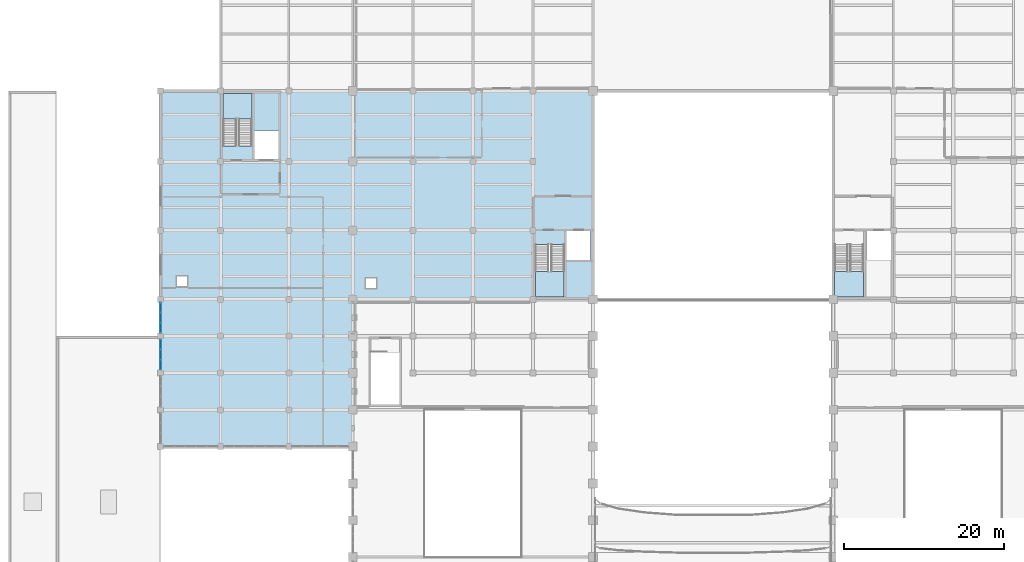
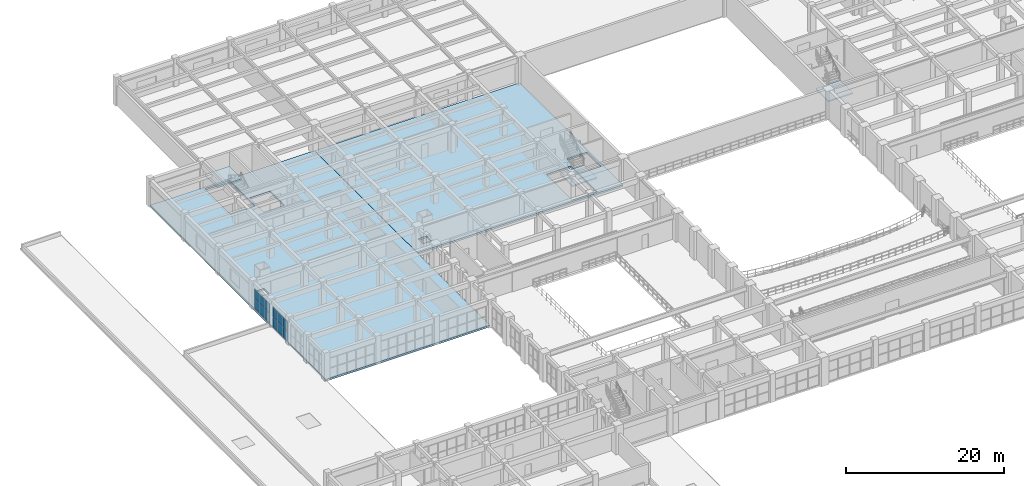
# One storey, part 58 of 90: 12 plates, 5 slabs, 5 elements without a shape of their own.
"""IFC4 building model written with IfcOpenShell, lengths in metres."""

import ifcopenshell
import ifcopenshell.guid

model = None  # the IFC model being written
_history = None  # IfcOwnerHistory: only IFC2X3 demands one
_inside = {}  # id of a spatial element -> (the spatial element, [elements in it])
_under = {}  # id of a project, library or spatial element -> (it, [spatial elements below it])
_declared = {}  # id of a project -> (the project, [libraries it declares])
_typed = {}  # id of a type object -> (the type object, [elements of that type])
_made_of = {}  # id of a material, layer set ... -> (it, [elements and type objects made of it])


def new_model(schema):
    """Start an empty IFC model of exactly this schema.

    Asked for "IFC4X3", IfcOpenShell would pick the latest addendum, in which some entities
    have other attributes; the version numbers below select the first issue.
    IFC2X3 requires an IfcOwnerHistory on every rooted entity: one is made here for all.
    """
    global model, _history
    if schema == "IFC4X3":
        model = ifcopenshell.file(schema_version=(4, 3, 0, 0))
    else:
        model = ifcopenshell.file(schema=schema)
    _inside.clear()
    _under.clear()
    _declared.clear()
    _typed.clear()
    _made_of.clear()
    _history = None
    if model.schema == "IFC2X3":
        org = make("IfcOrganization", Name="unknown")
        user = make(
            "IfcPersonAndOrganization",
            ThePerson=make("IfcPerson", FamilyName="unknown"),
            TheOrganization=org,
        )
        app = make(
            "IfcApplication",
            ApplicationDeveloper=org,
            Version="unknown",
            ApplicationFullName="unknown",
            ApplicationIdentifier="unknown",
        )
        _history = make(
            "IfcOwnerHistory",
            OwningUser=user,
            OwningApplication=app,
            ChangeAction="ADDED",
            CreationDate=0,
        )
    return model


def make(cls, **values):
    """One entity of the class cls with the attributes given. An attribute that is None is left unset."""
    return model.create_entity(
        cls, **{name: value for name, value in values.items() if value is not None}
    )


def rooted(cls, **values):
    """An entity with a GlobalId (a new one), such as an element, a storey or a relation."""
    return make(cls, GlobalId=ifcopenshell.guid.new(), OwnerHistory=_history, **values)


def si_unit(unit_type, name, prefix=None):
    """IfcSIUnit, for example si_unit("LENGTHUNIT", "METRE", prefix="MILLI")."""
    return make("IfcSIUnit", UnitType=unit_type, Prefix=prefix, Name=name)


def assignment(units):
    """IfcUnitAssignment: the units of a project."""
    return None if units is None else make("IfcUnitAssignment", Units=units)


def point(xyz):
    """IfcCartesianPoint."""
    return None if xyz is None else make("IfcCartesianPoint", Coordinates=xyz)


def direction(xyz):
    """IfcDirection."""
    return None if xyz is None else make("IfcDirection", DirectionRatios=xyz)


def frame(location, z_axis=None, x_axis=None):
    """IfcAxis2Placement3D, a coordinate frame: its origin and axes. An axis left out is left unset."""
    return make(
        "IfcAxis2Placement3D",
        Location=point(location),
        Axis=direction(z_axis),
        RefDirection=direction(x_axis),
    )


def frame_2d(location, x_axis=None):
    """IfcAxis2Placement2D, a coordinate frame in the plane: its origin and x axis."""
    return make(
        "IfcAxis2Placement2D", Location=point(location), RefDirection=direction(x_axis)
    )


def origin():
    """The frame at (0, 0, 0) with its axes left unset."""
    return frame((0.0, 0.0, 0.0))


def origin_2d():
    """The frame at (0, 0) in the plane with its x axis left unset."""
    return frame_2d((0.0, 0.0))


def place(relative_to, where):
    """IfcLocalPlacement: puts the frame where relative to a parent placement (None: the world)."""
    return make(
        "IfcLocalPlacement", PlacementRelTo=relative_to, RelativePlacement=where
    )


def context(
    kind, dimensions, precision=None, world=None, true_north=None, identifier=None
):
    """IfcGeometricRepresentationContext, for example the 3D "Model" context."""
    return make(
        "IfcGeometricRepresentationContext",
        ContextIdentifier=identifier,
        ContextType=kind,
        CoordinateSpaceDimension=dimensions,
        Precision=precision,
        WorldCoordinateSystem=world,
        TrueNorth=true_north,
    )


def subcontext(parent, identifier, kind, view, scale=None):
    """IfcGeometricRepresentationSubContext, for example "Body" below "Model"."""
    return make(
        "IfcGeometricRepresentationSubContext",
        ContextIdentifier=identifier,
        ContextType=kind,
        ParentContext=parent,
        TargetScale=scale,
        TargetView=view,
    )


def project(units=None, contexts=None):
    """IfcProject with its units and contexts."""
    return rooted(
        "IfcProject",
        Name="project",
        RepresentationContexts=contexts,
        UnitsInContext=assignment(units),
    )


def spatial(cls, under=None, at=None, **own):
    """A site, building, storey or space (cls), placed at a placement, below another one or the project."""
    s = rooted(cls, ObjectPlacement=at, **own)
    if under is not None:
        _under.setdefault(under.id(), (under, []))[1].append(s)
    return s


def polyline(points):
    """IfcPolyline through the points."""
    return make("IfcPolyline", Points=[point(p) for p in points])


def profile(cls, at=None, kind="AREA", **sizes):
    """A parametric profile (cls). Its sizes go by their IFC names, for example OverallWidth=200.0."""
    return make(cls, ProfileType=kind, Position=at, **sizes)


def rectangle(**sizes):
    """IfcRectangleProfileDef."""
    return profile("IfcRectangleProfileDef", **sizes)


def outline(outer, holes=None, kind="AREA"):
    """IfcArbitraryClosedProfileDef: a profile drawn as a closed curve; with holes, ...WithVoids."""
    if holes is None:
        return make("IfcArbitraryClosedProfileDef", ProfileType=kind, OuterCurve=outer)
    return make(
        "IfcArbitraryProfileDefWithVoids",
        ProfileType=kind,
        OuterCurve=outer,
        InnerCurves=holes,
    )


def extrude(swept, where, along, depth):
    """IfcExtrudedAreaSolid: the profile swept, set in the frame where, extruded along a direction by depth."""
    return make(
        "IfcExtrudedAreaSolid",
        SweptArea=swept,
        Position=where,
        ExtrudedDirection=direction(along),
        Depth=depth,
    )


def shape(context_of_items, identifier, shape_type, items):
    """IfcShapeRepresentation: the items that make up one representation, for example the "Body"."""
    return make(
        "IfcShapeRepresentation",
        ContextOfItems=context_of_items,
        RepresentationIdentifier=identifier,
        RepresentationType=shape_type,
        Items=items,
    )


def material(Name=None, Category=None):
    """IfcMaterial."""
    return make("IfcMaterial", Name=Name, Category=Category)


def layer(
    of_material, thickness, ventilated=None, Name=None, Category=None, Priority=None
):
    """IfcMaterialLayer: one layer of a wall or slab, of a material (None: an air gap)."""
    return make(
        "IfcMaterialLayer",
        Material=of_material,
        LayerThickness=thickness,
        IsVentilated=ventilated,
        Name=Name,
        Category=Category,
        Priority=Priority,
    )


def layer_set(layers, Name=None):
    """IfcMaterialLayerSet."""
    return make("IfcMaterialLayerSet", MaterialLayers=layers, LayerSetName=Name)


def made_of(thing, what):
    """Note that an element or type object is made of a material, layer set ...; save() writes the relation."""
    if what is not None:
        _made_of.setdefault(what.id(), (what, []))[1].append(thing)
    return thing


def type_object(cls, material=None, **own):
    """A type object (cls), such as IfcWallType, which elements share."""
    return made_of(rooted(cls, **own), material)


def element(
    cls,
    number,
    at=None,
    inside=None,
    cuts=None,
    type_object=None,
    material=None,
    context=None,
    identifier="Body",
    shape_type=None,
    held_by="IfcProductDefinitionShape",
    body=None,
    shapes=None,
    **own,
):
    """One element of the class cls, such as IfcWall. Its Tag is "e" and its number.

    at: its placement. inside: the storey or other place that contains it. cuts: it is an
    opening in that element (IfcRelVoidsElement). A single representation is given by context,
    identifier, shape_type and body (its items); several are given by shapes. held_by: the class
    of the entity that holds the representations. save() writes the other relations.
    """
    e = rooted(cls, Tag="e%d" % number, ObjectPlacement=at, **own)
    if body is not None:
        shapes = [shape(context, identifier, shape_type, body)]
    if shapes is not None:
        e.Representation = make(held_by, Representations=shapes)
    if inside is not None:
        _inside.setdefault(inside.id(), (inside, []))[1].append(e)
    if cuts is not None:
        rooted(
            "IfcRelVoidsElement", RelatingBuildingElement=cuts, RelatedOpeningElement=e
        )
    if type_object is not None:
        _typed.setdefault(type_object.id(), (type_object, []))[1].append(e)
    return made_of(e, material)


def aggregate(whole, parts):
    """IfcRelAggregates: a whole, such as a stair, and the parts it consists of."""
    return rooted("IfcRelAggregates", RelatingObject=whole, RelatedObjects=parts)


def save(model, path):
    """Write the relations noted so far, then the file.

    IfcRelAggregates (storeys below a building ...), IfcRelContainedInSpatialStructure (elements
    in a storey), IfcRelDefinesByType, IfcRelAssociatesMaterial and IfcRelDeclares: one each for
    every whole, place, type object, material and project.
    """
    for whole, parts in _under.values():
        aggregate(whole, parts)
    for where, things in _inside.values():
        rooted(
            "IfcRelContainedInSpatialStructure",
            RelatedElements=things,
            RelatingStructure=where,
        )
    for kind, things in _typed.values():
        rooted("IfcRelDefinesByType", RelatedObjects=things, RelatingType=kind)
    for what, things in _made_of.values():
        rooted("IfcRelAssociatesMaterial", RelatedObjects=things, RelatingMaterial=what)
    for by, libraries in _declared.values():
        rooted("IfcRelDeclares", RelatingContext=by, RelatedDefinitions=libraries)
    model.write(path)


model = new_model("IFC4")

# Units and contexts
model_context = context("Model", 3, precision=1e-05, world=origin(), true_north=direction((0.0, 1.0)))
body_context = subcontext(model_context, "Body", "Model", "MODEL_VIEW")
ifc_project = project(units=[si_unit("LENGTHUNIT", "METRE"), si_unit("AREAUNIT", "SQUARE_METRE"), si_unit("VOLUMEUNIT", "CUBIC_METRE"), si_unit("PLANEANGLEUNIT", "RADIAN"), si_unit("MASSUNIT", "GRAM", prefix="KILO")], contexts=[model_context])

# Site, building, storey
site_placement = place(None, origin())
site = spatial("IfcSite", under=ifc_project, at=site_placement, CompositionType="ELEMENT")
building_placement = place(site_placement, origin())
building = spatial("IfcBuilding", under=site, at=building_placement, Name="Muzn Square Opera House", CompositionType="ELEMENT")
storey_placement = place(building_placement, frame((0.0, 0.0, 9.800048828125)))
storey = spatial("IfcBuildingStorey", under=building, at=storey_placement, Name="L02", CompositionType="ELEMENT", Elevation=9.800048828125)

# Curtain wall, plates
ifc_material_1 = material(Name="Low-E laminated acoustic double glazing", Category="glass")
ifc_layer_1 = layer(ifc_material_1, 0.159912109375, Name="Low-E laminated acoustic double glazing", Category="glass")
ifc_layer_set_1 = layer_set([ifc_layer_1], Name="Low-E laminated acoustic double glazing")
curtain_wall_type = type_object("IfcCurtainWallType", Name="Glazed Curtain Wall WestCourt 3850x3150", PredefinedType="USERDEFINED", material=ifc_layer_set_1)
curtain_wall_1_placement = place(storey_placement, origin())
curtain_wall_1 = element("IfcCurtainWall", 1, at=curtain_wall_1_placement, inside=storey, type_object=curtain_wall_type, Name="Glazed Curtain Wall CW-L02-150", ObjectType="GLAZED CURTAIN WALL", PredefinedType="USERDEFINED")
ifc_layer_2 = layer(ifc_material_1, 0.028076171875, Name="Low-E laminated acoustic double glazing", Category="glass")
ifc_layer_set_2 = layer_set([ifc_layer_2], Name="Low-E laminated acoustic double glazing")
plate_type = type_object("IfcPlateType", Name="Curtain Wall Acoustic Glazed Panel 28mm", PredefinedType="CURTAIN_PANEL", material=ifc_layer_set_2)
plate_1_placement = place(storey_placement, frame((19.0, 64.431640625, 0.06005859375), z_axis=(0.0, 0.0, 1.0), x_axis=(0.0, 1.0, 0.0)))
plate_1 = element("IfcPlate", 2, at=plate_1_placement, type_object=plate_type, Name="CW-WCT-38x31 panel 1.1", PredefinedType="CURTAIN_PANEL", context=body_context, shape_type="SweptSolid", body=[
    extrude(rectangle(XDim=1.193359375, YDim=0.028076171875, at=origin_2d()), origin(), (0.0, 0.0, 1.0), 1.485107421875),
])
plate_2_placement = place(storey_placement, frame((19.0, 64.431640625, 1.60498046875), z_axis=(0.0, 0.0, 1.0), x_axis=(0.0, 1.0, 0.0)))
plate_2 = element("IfcPlate", 3, at=plate_2_placement, type_object=plate_type, Name="CW-WCT-38x31 panel 1.2", PredefinedType="CURTAIN_PANEL", context=body_context, shape_type="SweptSolid", body=[
    extrude(rectangle(XDim=1.193359375, YDim=0.028076171875, at=origin_2d()), origin(), (0.0, 0.0, 1.0), 1.485107421875),
])
plate_3_placement = place(storey_placement, frame((19.0, 65.699951171875, 0.06005859375), z_axis=(0.0, 0.0, 1.0), x_axis=(0.0, 1.0, 0.0)))
plate_3 = element("IfcPlate", 4, at=plate_3_placement, type_object=plate_type, Name="CW-WCT-38x31 panel 2.1", PredefinedType="CURTAIN_PANEL", context=body_context, shape_type="SweptSolid", body=[
    extrude(rectangle(XDim=1.223388671875, YDim=0.028076171875, at=origin_2d()), origin(), (0.0, 0.0, 1.0), 1.485107421875),
])
plate_4_placement = place(storey_placement, frame((19.0, 65.699951171875, 1.60498046875), z_axis=(0.0, 0.0, 1.0), x_axis=(0.0, 1.0, 0.0)))
plate_4 = element("IfcPlate", 5, at=plate_4_placement, type_object=plate_type, Name="CW-WCT-38x31 panel 2.2", PredefinedType="CURTAIN_PANEL", context=body_context, shape_type="SweptSolid", body=[
    extrude(rectangle(XDim=1.223388671875, YDim=0.028076171875, at=origin_2d()), origin(), (0.0, 0.0, 1.0), 1.485107421875),
])
plate_5_placement = place(storey_placement, frame((19.0, 66.96826171875, 0.06005859375), z_axis=(0.0, 0.0, 1.0), x_axis=(0.0, 1.0, 0.0)))
plate_5 = element("IfcPlate", 6, at=plate_5_placement, type_object=plate_type, Name="CW-WCT-38x31 panel 3.1", PredefinedType="CURTAIN_PANEL", context=body_context, shape_type="SweptSolid", body=[
    extrude(rectangle(XDim=1.193359375, YDim=0.028076171875, at=origin_2d()), origin(), (0.0, 0.0, 1.0), 1.485107421875),
])
plate_6_placement = place(storey_placement, frame((19.0, 66.96826171875, 1.60498046875), z_axis=(0.0, 0.0, 1.0), x_axis=(0.0, 1.0, 0.0)))
plate_6 = element("IfcPlate", 7, at=plate_6_placement, type_object=plate_type, Name="CW-WCT-38x31 panel 3.2", PredefinedType="CURTAIN_PANEL", context=body_context, shape_type="SweptSolid", body=[
    extrude(rectangle(XDim=1.193359375, YDim=0.028076171875, at=origin_2d()), origin(), (0.0, 0.0, 1.0), 1.485107421875),
])
aggregate(curtain_wall_1, [plate_1, plate_2, plate_3, plate_4, plate_5, plate_6])

curtain_wall_2_placement = place(storey_placement, origin())
curtain_wall_2 = element("IfcCurtainWall", 8, at=curtain_wall_2_placement, inside=storey, type_object=curtain_wall_type, Name="Glazed Curtain Wall CW-L02-151", ObjectType="GLAZED CURTAIN WALL", PredefinedType="USERDEFINED")
plate_7_placement = place(storey_placement, frame((19.0, 69.03173828125, 0.06005859375), z_axis=(0.0, 0.0, 1.0), x_axis=(0.0, 1.0, 0.0)))
plate_7 = element("IfcPlate", 9, at=plate_7_placement, type_object=plate_type, Name="CW-WCT-38x31 panel 1.1", PredefinedType="CURTAIN_PANEL", context=body_context, shape_type="SweptSolid", body=[
    extrude(rectangle(XDim=1.193359375, YDim=0.028076171875, at=origin_2d()), origin(), (0.0, 0.0, 1.0), 1.485107421875),
])
plate_8_placement = place(storey_placement, frame((19.0, 69.03173828125, 1.60498046875), z_axis=(0.0, 0.0, 1.0), x_axis=(0.0, 1.0, 0.0)))
plate_8 = element("IfcPlate", 10, at=plate_8_placement, type_object=plate_type, Name="CW-WCT-38x31 panel 1.2", PredefinedType="CURTAIN_PANEL", context=body_context, shape_type="SweptSolid", body=[
    extrude(rectangle(XDim=1.193359375, YDim=0.028076171875, at=origin_2d()), origin(), (0.0, 0.0, 1.0), 1.485107421875),
])
plate_9_placement = place(storey_placement, frame((19.0, 70.300048828125, 0.06005859375), z_axis=(0.0, 0.0, 1.0), x_axis=(0.0, 1.0, 0.0)))
plate_9 = element("IfcPlate", 11, at=plate_9_placement, type_object=plate_type, Name="CW-WCT-38x31 panel 2.1", PredefinedType="CURTAIN_PANEL", context=body_context, shape_type="SweptSolid", body=[
    extrude(rectangle(XDim=1.223388671875, YDim=0.028076171875, at=origin_2d()), origin(), (0.0, 0.0, 1.0), 1.485107421875),
])
plate_10_placement = place(storey_placement, frame((19.0, 70.300048828125, 1.60498046875), z_axis=(0.0, 0.0, 1.0), x_axis=(0.0, 1.0, 0.0)))
plate_10 = element("IfcPlate", 12, at=plate_10_placement, type_object=plate_type, Name="CW-WCT-38x31 panel 2.2", PredefinedType="CURTAIN_PANEL", context=body_context, shape_type="SweptSolid", body=[
    extrude(rectangle(XDim=1.223388671875, YDim=0.028076171875, at=origin_2d()), origin(), (0.0, 0.0, 1.0), 1.485107421875),
])
plate_11_placement = place(storey_placement, frame((19.0, 71.568359375, 0.06005859375), z_axis=(0.0, 0.0, 1.0), x_axis=(0.0, 1.0, 0.0)))
plate_11 = element("IfcPlate", 13, at=plate_11_placement, type_object=plate_type, Name="CW-WCT-38x31 panel 3.1", PredefinedType="CURTAIN_PANEL", context=body_context, shape_type="SweptSolid", body=[
    extrude(rectangle(XDim=1.193359375, YDim=0.028076171875, at=origin_2d()), origin(), (0.0, 0.0, 1.0), 1.485107421875),
])
plate_12_placement = place(storey_placement, frame((19.0, 71.568359375, 1.60498046875), z_axis=(0.0, 0.0, 1.0), x_axis=(0.0, 1.0, 0.0)))
plate_12 = element("IfcPlate", 14, at=plate_12_placement, type_object=plate_type, Name="CW-WCT-38x31 panel 3.2", PredefinedType="CURTAIN_PANEL", context=body_context, shape_type="SweptSolid", body=[
    extrude(rectangle(XDim=1.193359375, YDim=0.028076171875, at=origin_2d()), origin(), (0.0, 0.0, 1.0), 1.485107421875),
])
aggregate(curtain_wall_2, [plate_7, plate_8, plate_9, plate_10, plate_11, plate_12])

# Slabs
ifc_material_2 = material(Name="Concrete C40/50", Category="concrete")
ifc_layer_3 = layer(ifc_material_2, 0.280029296875, Name="Concrete C40/50", Category="concrete")
ifc_layer_set_3 = layer_set([ifc_layer_3], Name="Concrete C40/50")
slab_type_1 = type_object("IfcSlabType", Name="Floor Slab 280mm", PredefinedType="FLOOR", material=ifc_layer_set_3)
slab_1_placement = place(storey_placement, frame((0.0, 0.0, -0.280029296875)))
element("IfcSlab", 15, at=slab_1_placement, inside=storey, type_object=slab_type_1, Name="Floor Slab SLB-L02-SIDEW", PredefinedType="FLOOR", context=body_context, shape_type="SweptSolid", body=[
    extrude(outline(polyline([(43.0, 72.60009765625), (73.0, 72.60009765625), (73.0, 98.60009765625), (43.0, 98.60009765625), (43.0, 72.60009765625)]), holes=[polyline([(65.800048828125, 72.89990234375), (69.39990234375, 72.89990234375), (69.39990234375, 79.431884765625), (65.800048828125, 79.431884765625), (65.800048828125, 72.89990234375)]), polyline([(69.699951171875, 77.5), (72.699951171875, 77.5), (72.699951171875, 81.10009765625), (69.699951171875, 81.10009765625), (69.699951171875, 77.5)]), polyline([(44.60009765625, 74.0), (45.89990234375, 74.0), (45.89990234375, 75.199951171875), (44.60009765625, 75.199951171875), (44.60009765625, 74.0)])]), origin(), (0.0, 0.0, 1.0), 0.280029296875),
])
slab_2_placement = place(storey_placement, frame((0.0, 0.0, -0.280029296875)))
element("IfcSlab", 16, at=slab_2_placement, inside=storey, type_object=slab_type_1, Name="Floor Slab SLB-L02-WNORTH", PredefinedType="FLOOR", context=body_context, shape_type="SweptSolid", body=[
    extrude(outline(polyline([(19.0, 54.199951171875), (43.0, 54.199951171875), (43.0, 98.60009765625), (19.0, 98.60009765625), (19.0, 54.199951171875)]), holes=[polyline([(26.800048828125, 91.76806640625), (30.39990234375, 91.76806640625), (30.39990234375, 98.300048828125), (26.800048828125, 98.300048828125), (26.800048828125, 91.76806640625)]), polyline([(30.699951171875, 90.10009765625), (33.699951171875, 90.10009765625), (33.699951171875, 93.699951171875), (30.699951171875, 93.699951171875), (30.699951171875, 90.10009765625)]), polyline([(21.0, 74.199951171875), (22.300048828125, 74.199951171875), (22.300048828125, 75.5), (21.0, 75.5), (21.0, 74.199951171875)])]), origin(), (0.0, 0.0, 1.0), 0.280029296875),
])

# Stair, slab
stair_type = type_object("IfcStairType", Name="Core Escape Dogleg Stair", PredefinedType="HALF_TURN_STAIR", material=ifc_material_2)
stair_1_placement = place(storey_placement, origin())
stair_1 = element("IfcStair", 17, at=stair_1_placement, inside=storey, type_object=stair_type, Name="L02 Escape Stair ST-1", PredefinedType="HALF_TURN_STAIR")
ifc_layer_4 = layer(ifc_material_2, 0.199951171875, Name="Concrete C40/50", Category="concrete")
ifc_layer_set_4 = layer_set([ifc_layer_4], Name="Concrete C40/50")
slab_type_2 = type_object("IfcSlabType", Name="Stair Half Landing 200mm", PredefinedType="LANDING", material=ifc_layer_set_4)
slab_3_placement = place(storey_placement, frame((0.0, 0.0, 2.0)))
slab_3 = element("IfcSlab", 18, at=slab_3_placement, type_object=slab_type_2, Name="ST-1 landing 1", PredefinedType="LANDING", context=body_context, shape_type="SweptSolid", body=[
    extrude(outline(polyline([(65.800048828125, 76.080078125), (65.800048828125, 72.89990234375), (69.39990234375, 72.89990234375), (69.39990234375, 76.080078125), (65.800048828125, 76.080078125)])), origin(), (0.0, 0.0, 1.0), 0.199951171875),
])
aggregate(stair_1, [slab_3])

stair_2_placement = place(storey_placement, origin())
stair_2 = element("IfcStair", 19, at=stair_2_placement, inside=storey, type_object=stair_type, Name="L02 Escape Stair ST-2", PredefinedType="HALF_TURN_STAIR")
slab_4_placement = place(storey_placement, frame((0.0, 0.0, 2.0)))
slab_4 = element("IfcSlab", 20, at=slab_4_placement, type_object=slab_type_2, Name="ST-2 landing 1", PredefinedType="LANDING", context=body_context, shape_type="SweptSolid", body=[
    extrude(outline(polyline([(103.169921875, 76.080078125), (103.169921875, 72.89990234375), (106.77001953125, 72.89990234375), (106.77001953125, 76.080078125), (103.169921875, 76.080078125)])), origin(), (0.0, 0.0, 1.0), 0.199951171875),
])
aggregate(stair_2, [slab_4])

stair_3_placement = place(storey_placement, origin())
stair_3 = element("IfcStair", 21, at=stair_3_placement, inside=storey, type_object=stair_type, Name="L02 Escape Stair ST-6", PredefinedType="HALF_TURN_STAIR")
slab_5_placement = place(storey_placement, frame((0.0, 0.0, 2.0)))
slab_5 = element("IfcSlab", 22, at=slab_5_placement, type_object=slab_type_2, Name="ST-6 landing 1", PredefinedType="LANDING", context=body_context, shape_type="SweptSolid", body=[
    extrude(outline(polyline([(30.39990234375, 95.1201171875), (30.39990234375, 98.300048828125), (26.800048828125, 98.300048828125), (26.800048828125, 95.1201171875), (30.39990234375, 95.1201171875)])), origin(), (0.0, 0.0, 1.0), 0.199951171875),
])
aggregate(stair_3, [slab_5])

save(model, "model.ifc")
